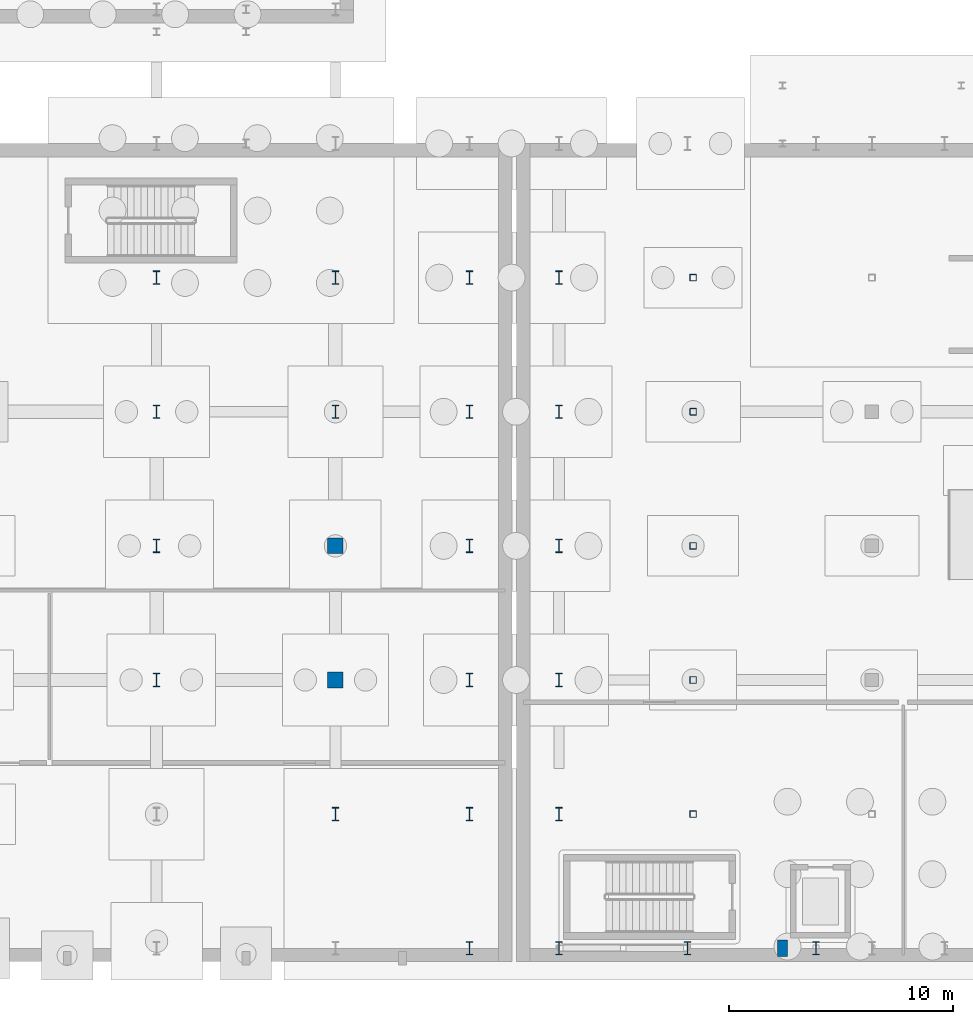
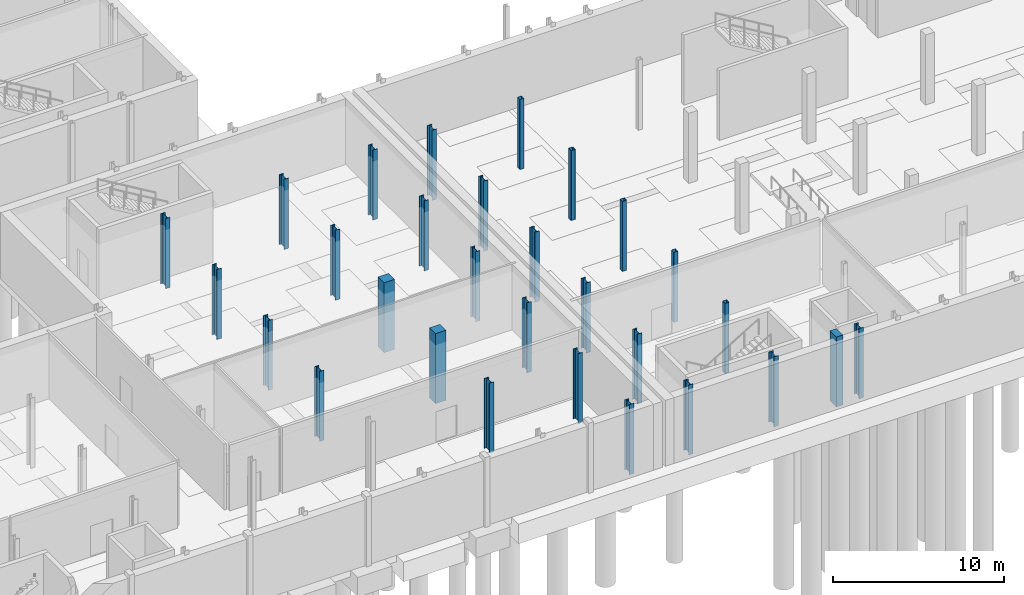
# One storey, part 7 of 47: 29 columns.
"""IFC4 building model written with IfcOpenShell, lengths in metres."""

from ifc_helpers import new_model, si_unit, direction, frame, origin, origin_2d, place, context, subcontext, project, spatial, rectangle, hollow_rectangle, i_section, extrude, material, material_profile, profile_set, type_object, element, save


model = new_model("IFC4")

# Units and contexts
model_context = context("Model", 3, precision=1e-05, world=origin(), true_north=direction((0.0, 1.0)))
body_context = subcontext(model_context, "Body", "Model", "MODEL_VIEW")
ifc_project = project(units=[si_unit("LENGTHUNIT", "METRE"), si_unit("AREAUNIT", "SQUARE_METRE"), si_unit("VOLUMEUNIT", "CUBIC_METRE"), si_unit("PLANEANGLEUNIT", "RADIAN"), si_unit("MASSUNIT", "GRAM", prefix="KILO")], contexts=[model_context])

# Site, building, storey
site_placement = place(None, origin())
site = spatial("IfcSite", under=ifc_project, at=site_placement, CompositionType="ELEMENT")
building_placement = place(site_placement, origin())
building = spatial("IfcBuilding", under=site, at=building_placement, Name="Cymarion Research Institute", CompositionType="ELEMENT")
storey_placement = place(building_placement, frame((0.0, 0.0, -5.0)))
storey = spatial("IfcBuildingStorey", under=building, at=storey_placement, Name="B1", CompositionType="ELEMENT", Elevation=-5.0)

# Columns
ifc_material_1 = material(Name="Concrete C40/50", Category="concrete")
ifc_material_profile_1 = material_profile(ifc_material_1, rectangle(XDim=0.449951171875, YDim=0.75, at=origin_2d()), Name="RC 450x750")
ifc_profile_set_1 = profile_set([ifc_material_profile_1], Name="Concrete C40/50")
column_type_1 = type_object("IfcColumnType", Name="CONCRETE PILASTER PL03 RC 450x750", PredefinedType="PILASTER", material=ifc_profile_set_1)
column_placement = place(storey_placement, frame((66.60009765625, 5.5, 0.0), z_axis=(0.0, 0.0, 1.0), x_axis=(1.0, 0.0, 0.0)))
element("IfcColumn", 1, at=column_placement, inside=storey, type_object=column_type_1, Name="B1 V2 column PL03 #130", PredefinedType="PILASTER", context=body_context, shape_type="SweptSolid", body=[
    extrude(rectangle(XDim=0.449951171875, YDim=0.75, at=origin_2d()), origin(), (0.0, 0.0, 1.0), 5.0),
])
ifc_material_2 = material(Name="Steel S355", Category="steel")
ifc_material_profile_2 = material_profile(ifc_material_2, i_section(OverallWidth=0.300048828125, OverallDepth=0.60009765625, WebThickness=0.015380859375, FlangeThickness=0.030029296875, FilletRadius=0.027099609375, at=origin_2d()), Name="HEB 600")
ifc_profile_set_2 = profile_set([ifc_material_profile_2], Name="Steel S355")
column_type_2 = type_object("IfcColumnType", Name="STRUCTURAL COLUMN C02 HEB 600", PredefinedType="COLUMN", material=ifc_profile_set_2)
for number, where, z_axis, x_axis, name in (
    (2, (38.60009765625, 17.5, 0.0), (0.0, 0.0, 1.0), (1.0, 0.0, 0.0), "B1 V3 column C02 #73"),
    (3, (38.60009765625, 23.5, 0.0), (0.0, 0.0, 1.0), (1.0, 0.0, 0.0), "B1 V3 column C02 #74"),
    (4, (38.60009765625, 29.5, 0.0), (0.0, 0.0, 1.0), (1.0, 0.0, 0.0), "B1 V3 column C02 #75"),
    (5, (38.60009765625, 35.5, 0.0), (0.0, 0.0, 1.0), (1.0, 0.0, 0.0), "B1 V3 column C02 #76"),
    (6, (46.60009765625, 11.5, 0.0), (0.0, 0.0, 1.0), (1.0, 0.0, 0.0), "B1 V3 column C02 #94"),
    (7, (46.60009765625, 29.5, 0.0), (0.0, 0.0, 1.0), (1.0, 0.0, 0.0), "B1 V3 column C02 #97"),
    (8, (46.60009765625, 35.5, 0.0), (0.0, 0.0, 1.0), (1.0, 0.0, 0.0), "B1 V3 column C02 #98"),
    (9, (52.60009765625, 5.5, 0.0), (0.0, 0.0, 1.0), (1.0, 0.0, 0.0), "B1 V3 column C02 #109"),
    (10, (52.60009765625, 11.5, 0.0), (0.0, 0.0, 1.0), (1.0, 0.0, 0.0), "B1 V3 column C02 #110"),
    (11, (52.60009765625, 17.5, 0.0), (0.0, 0.0, 1.0), (1.0, 0.0, 0.0), "B1 V3 column C02 #111"),
    (12, (52.60009765625, 23.5, 0.0), (0.0, 0.0, 1.0), (1.0, 0.0, 0.0), "B1 V3 column C02 #112"),
    (13, (52.60009765625, 29.5, 0.0), (0.0, 0.0, 1.0), (1.0, 0.0, 0.0), "B1 V3 column C02 #113"),
    (14, (52.60009765625, 35.5, 0.0), (0.0, 0.0, 1.0), (1.0, 0.0, 0.0), "B1 V3 column C02 #114"),
    (15, (56.60009765625, 5.5, 0.0), (0.0, 0.0, 1.0), (1.0, 0.0, 0.0), "B1 V2 column C02 #116"),
    (16, (56.60009765625, 11.5, 0.0), (0.0, 0.0, 1.0), (1.0, 0.0, 0.0), "B1 V2 column C02 #117"),
    (17, (56.60009765625, 17.5, 0.0), (0.0, 0.0, 1.0), (1.0, 0.0, 0.0), "B1 V2 column C02 #118"),
    (18, (56.60009765625, 23.5, 0.0), (0.0, 0.0, 1.0), (1.0, 0.0, 0.0), "B1 V2 column C02 #119"),
    (19, (56.60009765625, 29.5, 0.0), (0.0, 0.0, 1.0), (1.0, 0.0, 0.0), "B1 V2 column C02 #120"),
    (20, (56.60009765625, 35.5, 0.0), (0.0, 0.0, 1.0), (1.0, 0.0, 0.0), "B1 V2 column C02 #121"),
    (21, (62.35009765625, 5.5, 0.0), (0.0, 0.0, 1.0), (1.0, 0.0, 0.0), "B1 V2 column C02 #123"),
    (22, (68.10009765625, 5.5, 0.0), (0.0, 0.0, 1.0), (1.0, 0.0, 0.0), "B1 V2 column C02 #133"),
):
    element("IfcColumn", number, at=place(storey_placement, frame(where, z_axis=z_axis, x_axis=x_axis)), inside=storey, type_object=column_type_2, Name=name, PredefinedType="COLUMN", context=body_context, shape_type="SweptSolid", body=[
        extrude(i_section(OverallWidth=0.300048828125, OverallDepth=0.60009765625, WebThickness=0.015380859375, FlangeThickness=0.030029296875, FilletRadius=0.027099609375, at=origin_2d()), origin(), (0.0, 0.0, 1.0), 5.0),
    ])
ifc_material_profile_3 = material_profile(ifc_material_2, hollow_rectangle(XDim=0.300048828125, YDim=0.300048828125, WallThickness=0.012451171875, InnerFilletRadius=0.018798828125, OuterFilletRadius=0.03125, at=origin_2d()), Name="SHS 300x300x12.5")
ifc_profile_set_3 = profile_set([ifc_material_profile_3], Name="Steel S355")
column_type_3 = type_object("IfcColumnType", Name="STRUCTURAL COLUMN C14 SHS 300x300x12.5", PredefinedType="COLUMN", material=ifc_profile_set_3)
for number, where, z_axis, x_axis, name in (
    (23, (62.60009765625, 11.5, 0.0), (0.0, 0.0, 1.0), (1.0, 0.0, 0.0), "B1 V2 column C14 #125"),
    (24, (62.60009765625, 17.5, 0.0), (0.0, 0.0, 1.0), (1.0, 0.0, 0.0), "B1 V2 column C14 #126"),
    (25, (62.60009765625, 23.5, 0.0), (0.0, 0.0, 1.0), (1.0, 0.0, 0.0), "B1 V2 column C14 #127"),
    (26, (62.60009765625, 29.5, 0.0), (0.0, 0.0, 1.0), (1.0, 0.0, 0.0), "B1 V2 column C14 #128"),
    (27, (62.60009765625, 35.5, 0.0), (0.0, 0.0, 1.0), (1.0, 0.0, 0.0), "B1 V2 column C14 #129"),
):
    element("IfcColumn", number, at=place(storey_placement, frame(where, z_axis=z_axis, x_axis=x_axis)), inside=storey, type_object=column_type_3, Name=name, PredefinedType="COLUMN", context=body_context, shape_type="SweptSolid", body=[
        extrude(hollow_rectangle(XDim=0.300048828125, YDim=0.300048828125, WallThickness=0.012451171875, InnerFilletRadius=0.018798828125, OuterFilletRadius=0.03125, at=origin_2d()), origin(), (0.0, 0.0, 1.0), 5.0),
    ])
ifc_material_profile_4 = material_profile(ifc_material_1, rectangle(XDim=0.699951171875, YDim=0.699951171875, at=origin_2d()), Name="RC 700x700")
ifc_profile_set_4 = profile_set([ifc_material_profile_4], Name="Concrete C40/50")
column_type_4 = type_object("IfcColumnType", Name="STRUCTURAL COLUMN C17 RC 700x700", PredefinedType="COLUMN", material=ifc_profile_set_4)
for number, where, z_axis, x_axis, name in (
    (28, (46.60009765625, 17.5, 0.0), (0.0, 0.0, 1.0), (1.0, 0.0, 0.0), "B1 V3 column C17 #95"),
    (29, (46.60009765625, 23.5, 0.0), (0.0, 0.0, 1.0), (1.0, 0.0, 0.0), "B1 V3 column C17 #96"),
):
    element("IfcColumn", number, at=place(storey_placement, frame(where, z_axis=z_axis, x_axis=x_axis)), inside=storey, type_object=column_type_4, Name=name, PredefinedType="COLUMN", context=body_context, shape_type="SweptSolid", body=[
        extrude(rectangle(XDim=0.699951171875, YDim=0.699951171875, at=origin_2d()), origin(), (0.0, 0.0, 1.0), 5.0),
    ])

save(model, "model.ifc")
